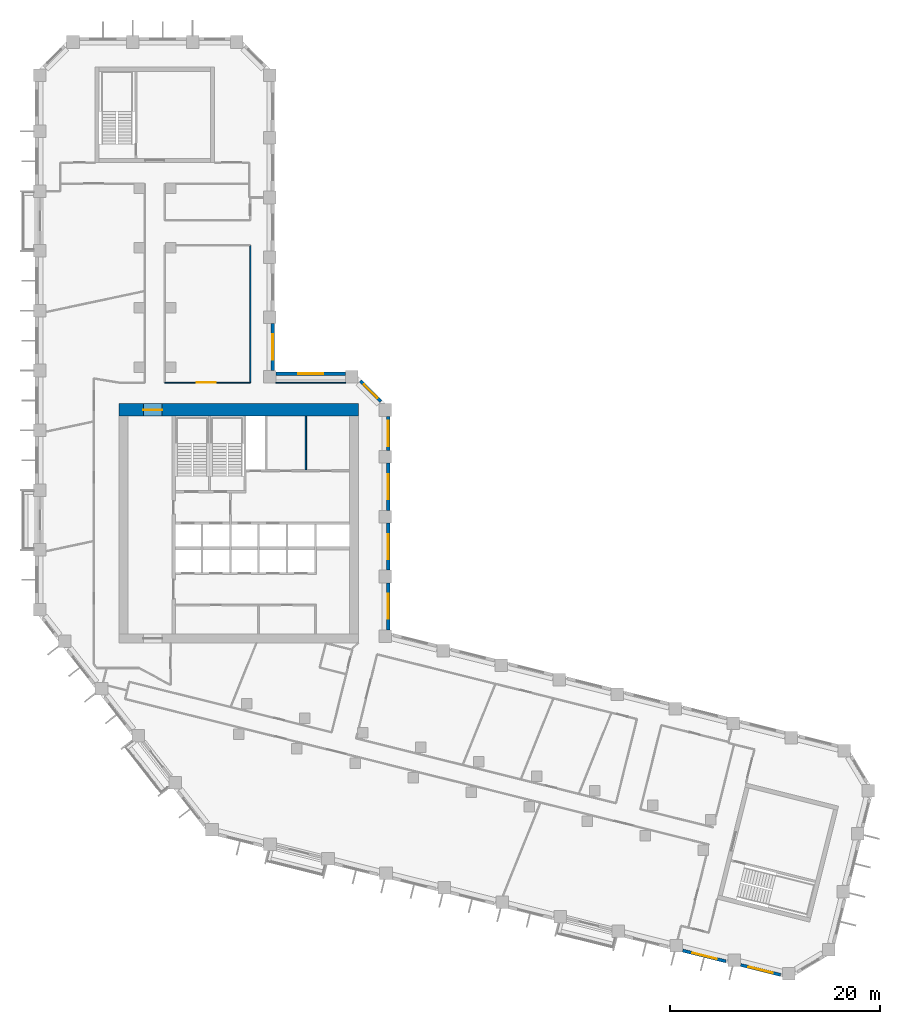
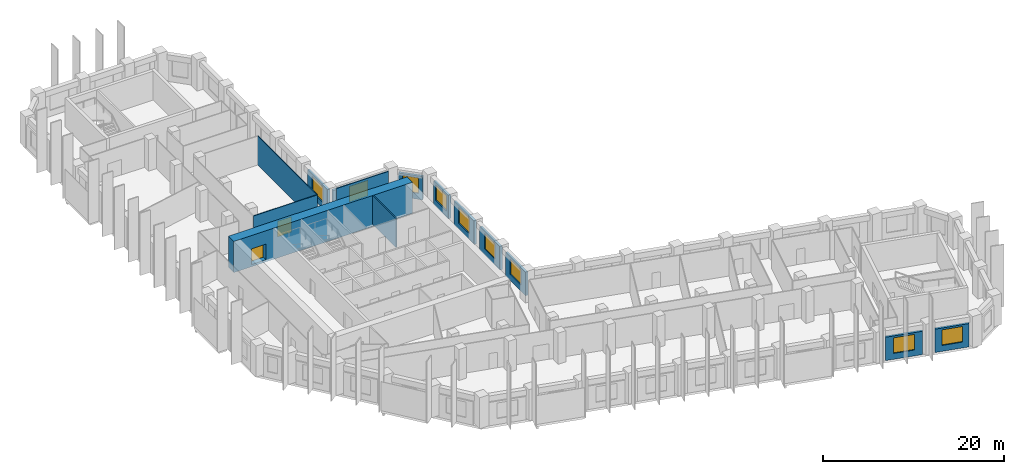
# One storey, part 6 of 10: 14 walls, 9 windows, 2 doors, 11 openings.
"""IFC4 building model written with IfcOpenShell, lengths in metres."""

from ifc_helpers import new_model, si_unit, direction, frame, frame_2d, origin, place, context, subcontext, project, spatial, rectangle, extrude, material, layer, layer_set, type_object, element, fill, save


model = new_model("IFC4")

# Units and contexts
model_context = context("Model", 3, precision=1e-05, world=origin(), true_north=direction((0.0, 1.0)))
body_context = subcontext(model_context, "Body", "Model", "MODEL_VIEW")
ifc_project = project(units=[si_unit("LENGTHUNIT", "METRE"), si_unit("AREAUNIT", "SQUARE_METRE"), si_unit("VOLUMEUNIT", "CUBIC_METRE"), si_unit("PLANEANGLEUNIT", "RADIAN"), si_unit("MASSUNIT", "GRAM", prefix="KILO")], contexts=[model_context])

# Site, building, storey
site_placement = place(None, origin())
site = spatial("IfcSite", under=ifc_project, at=site_placement, CompositionType="ELEMENT")
building_placement = place(site_placement, origin())
building = spatial("IfcBuilding", under=site, at=building_placement, Name="Meshkara Civic Tower", CompositionType="ELEMENT")
storey_placement = place(building_placement, frame((0.0, 0.0, 211.800048828125)))
storey = spatial("IfcBuildingStorey", under=building, at=storey_placement, Name="L48", CompositionType="ELEMENT", Elevation=211.800048828125)

# Wall
ifc_material_1 = material(Name="Blockwork", Category="masonry")
ifc_layer_1 = layer(ifc_material_1, 0.14990234375)
ifc_layer_set_1 = layer_set([ifc_layer_1], Name="Core partition 150")
wall_type_1 = type_object("IfcWallType", Name="Core partition 150", PredefinedType="PARTITIONING", material=ifc_layer_set_1)
wall_1_placement = place(storey_placement, frame((25.800048828125, 30.574951171875, 0.0), z_axis=(0.0, 0.0, 1.0), x_axis=(0.0, 1.0, 0.0)))
element("IfcWall", 1, at=wall_1_placement, inside=storey, type_object=wall_type_1, Name="L48-C020", PredefinedType="PARTITIONING", context=body_context, shape_type="SweptSolid", body=[
    extrude(rectangle(XDim=5.125, YDim=0.14990234375, at=frame_2d((2.5625, 0.0))), origin(), (0.0, 0.0, 1.0), 3.89990234375),
])

# Wall, opening, door
ifc_material_2 = material(Name="Concrete C70", Category="concrete")
ifc_layer_2 = layer(ifc_material_2, 1.199951171875)
ifc_layer_set_2 = layer_set([ifc_layer_2], Name="Core ring wall 1200 C70")
wall_type_2 = type_object("IfcWallType", Name="Core ring wall 1200 C70", PredefinedType="SHEAR", material=ifc_layer_set_2)
wall_2_placement = place(storey_placement, frame((8.0, 36.300048828125, -0.300048828125), z_axis=(0.0, 0.0, 1.0), x_axis=(1.0, 0.0, 0.0)))
wall_2 = element("IfcWall", 2, at=wall_2_placement, inside=storey, type_object=wall_type_2, Name="L48-C002", PredefinedType="SHEAR", context=body_context, shape_type="SweptSolid", body=[
    extrude(rectangle(XDim=22.800048828125, YDim=1.199951171875, at=frame_2d((11.39990234375, 0.0))), origin(), (0.0, 0.0, 1.0), 4.199951171875),
])
opening_1_placement = place(wall_2_placement, frame((2.300048828125, 0.0, 0.300048828125)))
opening_1 = element("IfcOpeningElement", 3, at=opening_1_placement, cuts=wall_2, Name="Opening L48-K020", PredefinedType="OPENING", context=body_context, shape_type="SweptSolid", body=[
    extrude(rectangle(XDim=1.800048828125, YDim=2.10009765625, at=frame_2d((0.89990234375, 1.050048828125))), frame((0.0, 0.60986328125, 0.0), z_axis=(0.0, -1.0, 0.0), x_axis=(1.0, 0.0, 0.0)), (0.0, 0.0, 1.0), 1.219970703125),
])
ifc_material_3 = material(Name="Fire-rated door leaf in steel frame", Category="steel")
door_type_1 = type_object("IfcDoorType", Name="Core double door 1800 EI 60", OperationType="DOUBLE_DOOR_SINGLE_SWING", PredefinedType="DOOR", material=ifc_material_3)
door_1_placement = place(opening_1_placement, origin())
door_1 = element("IfcDoor", 4, at=door_1_placement, inside=storey, type_object=door_type_1, Name="L48-K020", OperationType="DOUBLE_DOOR_SINGLE_SWING", OverallHeight=2.10009765625, OverallWidth=1.800048828125, PredefinedType="DOOR", context=body_context, shape_type="SweptSolid", body=[
    extrude(rectangle(XDim=1.800048828125, YDim=2.10009765625, at=frame_2d((0.89990234375, 1.050048828125))), frame((0.0, 0.02490234375, 0.0), z_axis=(0.0, -1.0, 0.0), x_axis=(1.0, 0.0, 0.0)), (0.0, 0.0, 1.0), 0.050048828125),
])
fill(opening_1, door_1)

ifc_material_4 = material(Name="Corridor wall 100")
ifc_layer_3 = layer(ifc_material_4, 0.10009765625)
ifc_layer_set_3 = layer_set([ifc_layer_3], Name="Corridor wall 100")
wall_type_3 = type_object("IfcWallType", Name="Corridor wall 100", PredefinedType="PARTITIONING", material=ifc_layer_set_3)
wall_3_placement = place(storey_placement, frame((20.5, 38.89990234375, 0.0), z_axis=(0.0, 0.0, 1.0), x_axis=(-1.0, 0.0, 0.0)))
wall_3 = element("IfcWall", 5, at=wall_3_placement, inside=storey, type_object=wall_type_3, Name="L48-W021", PredefinedType="PARTITIONING", context=body_context, shape_type="SweptSolid", body=[
    extrude(rectangle(XDim=8.14990234375, YDim=0.10009765625, at=frame_2d((4.074951171875, 0.0))), origin(), (0.0, 0.0, 1.0), 3.89990234375),
])
opening_2_placement = place(wall_3_placement, frame((3.280029296875, 0.0, 0.0)))
opening_2 = element("IfcOpeningElement", 6, at=opening_2_placement, cuts=wall_3, Name="Opening L48-D018", PredefinedType="OPENING", context=body_context, shape_type="SweptSolid", body=[
    extrude(rectangle(XDim=1.800048828125, YDim=2.10009765625, at=frame_2d((0.89990234375, 1.050048828125))), frame((0.0, 0.06005859375, 0.0), z_axis=(0.0, -1.0, 0.0), x_axis=(1.0, 0.0, 0.0)), (0.0, 0.0, 1.0), 0.1201171875),
])
ifc_material_5 = material(Name="Door pair 1800 x 2100")
door_type_2 = type_object("IfcDoorType", Name="Door pair 1800 x 2100", OperationType="SINGLE_SWING_LEFT", PredefinedType="DOOR", material=ifc_material_5)
door_2_placement = place(opening_2_placement, origin())
door_2 = element("IfcDoor", 7, at=door_2_placement, inside=storey, type_object=door_type_2, Name="L48-D018", OperationType="DOUBLE_DOOR_SINGLE_SWING", OverallHeight=2.10009765625, OverallWidth=1.800048828125, PredefinedType="DOOR", context=body_context, shape_type="SweptSolid", body=[
    extrude(rectangle(XDim=1.800048828125, YDim=2.10009765625, at=frame_2d((0.89990234375, 1.050048828125))), frame((0.0, 0.02490234375, 0.0), z_axis=(0.0, -1.0, 0.0), x_axis=(1.0, 0.0, 0.0)), (0.0, 0.0, 1.0), 0.050048828125),
])
fill(opening_2, door_2)

# Walls
wall_4_placement = place(storey_placement, frame((20.5, 52.0, 0.0), z_axis=(0.0, 0.0, 1.0), x_axis=(0.0, -1.0, 0.0)))
element("IfcWall", 8, at=wall_4_placement, inside=storey, type_object=wall_type_3, Name="L48-W022", PredefinedType="PARTITIONING", context=body_context, shape_type="SweptSolid", body=[
    extrude(rectangle(XDim=13.10009765625, YDim=0.10009765625, at=frame_2d((6.550048828125, 0.0))), origin(), (0.0, 0.0, 1.0), 3.89990234375),
])
wall_5_placement = place(storey_placement, frame((29.593994140625, 38.89990234375, 0.0), z_axis=(0.0, 0.0, 1.0), x_axis=(-1.0, 0.0, 0.0)))
element("IfcWall", 9, at=wall_5_placement, inside=storey, type_object=wall_type_3, Name="L48-W027", PredefinedType="PARTITIONING", context=body_context, shape_type="SweptSolid", body=[
    extrude(rectangle(XDim=6.64404296875, YDim=0.10009765625, at=frame_2d((3.322021484375, 0.0))), origin(), (0.0, 0.0, 1.0), 3.89990234375),
])

# Wall, opening, window
ifc_material_6 = material(Name="Insulated infill panel with bronze anodised aluminium cladding", Category="aluminium")
ifc_layer_4 = layer(ifc_material_6, 0.300048828125)
ifc_layer_set_4 = layer_set([ifc_layer_4], Name="EXTERNAL INFILL WALL 300")
wall_type_4 = type_object("IfcWallType", Name="EXTERNAL INFILL WALL 300", PredefinedType="SOLIDWALL", material=ifc_layer_set_4)
wall_6_placement = place(storey_placement, frame((33.64990234375, 15.319091796875, 0.0), z_axis=(0.0, 0.0, 1.0), x_axis=(0.0, 1.0, 0.0)))
wall_6 = element("IfcWall", 10, at=wall_6_placement, inside=storey, type_object=wall_type_4, Name="External wall", PredefinedType="SOLIDWALL", context=body_context, shape_type="SweptSolid", body=[
    extrude(rectangle(XDim=4.5, YDim=0.300048828125, at=frame_2d((2.25, 0.0))), origin(), (0.0, 0.0, 1.0), 3.14990234375),
])
opening_3_placement = place(wall_6_placement, frame((1.050048828125, 0.0, 0.800048828125)))
opening_3 = element("IfcOpeningElement", 11, at=opening_3_placement, cuts=wall_6, Name="Opening W7", PredefinedType="OPENING", context=body_context, shape_type="SweptSolid", body=[
    extrude(rectangle(XDim=2.39990234375, YDim=2.10009765625, at=frame_2d((1.199951171875, 1.050048828125))), frame((0.0, 0.159912109375, 0.0), z_axis=(0.0, -1.0, 0.0), x_axis=(1.0, 0.0, 0.0)), (0.0, 0.0, 1.0), 0.320068359375),
])
ifc_material_7 = material(Name="Tinted double glazing", Category="glass")
window_type_1 = type_object("IfcWindowType", Name="WINDOW 2400x2100", PartitioningType="DOUBLE_PANEL_VERTICAL", PredefinedType="WINDOW", material=ifc_material_7)
window_1_placement = place(opening_3_placement, origin())
window_1 = element("IfcWindow", 12, at=window_1_placement, inside=storey, type_object=window_type_1, Name="Window", OverallHeight=2.10009765625, OverallWidth=2.39990234375, PartitioningType="DOUBLE_PANEL_VERTICAL", PredefinedType="WINDOW", context=body_context, shape_type="SweptSolid", body=[
    extrude(rectangle(XDim=2.39990234375, YDim=2.10009765625, at=frame_2d((1.199951171875, 1.050048828125))), frame((0.0, 0.030029296875, 0.0), z_axis=(0.0, -1.0, 0.0), x_axis=(1.0, 0.0, 0.0)), (0.0, 0.0, 1.0), 0.06005859375),
])
fill(opening_3, window_1)

wall_7_placement = place(storey_placement, frame((33.64990234375, 21.01904296875, 0.0), z_axis=(0.0, 0.0, 1.0), x_axis=(0.0, 1.0, 0.0)))
wall_7 = element("IfcWall", 13, at=wall_7_placement, inside=storey, type_object=wall_type_4, Name="External wall", PredefinedType="SOLIDWALL", context=body_context, shape_type="SweptSolid", body=[
    extrude(rectangle(XDim=4.5, YDim=0.300048828125, at=frame_2d((2.25, 0.0))), origin(), (0.0, 0.0, 1.0), 3.14990234375),
])
opening_4_placement = place(wall_7_placement, frame((1.050048828125, 0.0, 0.800048828125)))
opening_4 = element("IfcOpeningElement", 14, at=opening_4_placement, cuts=wall_7, Name="Opening W7", PredefinedType="OPENING", context=body_context, shape_type="SweptSolid", body=[
    extrude(rectangle(XDim=2.39990234375, YDim=2.10009765625, at=frame_2d((1.199951171875, 1.050048828125))), frame((0.0, 0.159912109375, 0.0), z_axis=(0.0, -1.0, 0.0), x_axis=(1.0, 0.0, 0.0)), (0.0, 0.0, 1.0), 0.320068359375),
])
window_2_placement = place(opening_4_placement, origin())
window_2 = element("IfcWindow", 15, at=window_2_placement, inside=storey, type_object=window_type_1, Name="Window", OverallHeight=2.10009765625, OverallWidth=2.39990234375, PartitioningType="DOUBLE_PANEL_VERTICAL", PredefinedType="WINDOW", context=body_context, shape_type="SweptSolid", body=[
    extrude(rectangle(XDim=2.39990234375, YDim=2.10009765625, at=frame_2d((1.199951171875, 1.050048828125))), frame((0.0, 0.030029296875, 0.0), z_axis=(0.0, -1.0, 0.0), x_axis=(1.0, 0.0, 0.0)), (0.0, 0.0, 1.0), 0.06005859375),
])
fill(opening_4, window_2)

wall_8_placement = place(storey_placement, frame((33.64990234375, 26.718994140625, 0.0), z_axis=(0.0, 0.0, 1.0), x_axis=(0.0, 1.0, 0.0)))
wall_8 = element("IfcWall", 16, at=wall_8_placement, inside=storey, type_object=wall_type_4, Name="External wall", PredefinedType="SOLIDWALL", context=body_context, shape_type="SweptSolid", body=[
    extrude(rectangle(XDim=4.5, YDim=0.300048828125, at=frame_2d((2.25, 0.0))), origin(), (0.0, 0.0, 1.0), 3.14990234375),
])
opening_5_placement = place(wall_8_placement, frame((1.050048828125, 0.0, 0.800048828125)))
opening_5 = element("IfcOpeningElement", 17, at=opening_5_placement, cuts=wall_8, Name="Opening W7", PredefinedType="OPENING", context=body_context, shape_type="SweptSolid", body=[
    extrude(rectangle(XDim=2.39990234375, YDim=2.10009765625, at=frame_2d((1.199951171875, 1.050048828125))), frame((0.0, 0.159912109375, 0.0), z_axis=(0.0, -1.0, 0.0), x_axis=(1.0, 0.0, 0.0)), (0.0, 0.0, 1.0), 0.320068359375),
])
window_3_placement = place(opening_5_placement, origin())
window_3 = element("IfcWindow", 18, at=window_3_placement, inside=storey, type_object=window_type_1, Name="Window", OverallHeight=2.10009765625, OverallWidth=2.39990234375, PartitioningType="DOUBLE_PANEL_VERTICAL", PredefinedType="WINDOW", context=body_context, shape_type="SweptSolid", body=[
    extrude(rectangle(XDim=2.39990234375, YDim=2.10009765625, at=frame_2d((1.199951171875, 1.050048828125))), frame((0.0, 0.030029296875, 0.0), z_axis=(0.0, -1.0, 0.0), x_axis=(1.0, 0.0, 0.0)), (0.0, 0.0, 1.0), 0.06005859375),
])
fill(opening_5, window_3)

wall_9_placement = place(storey_placement, frame((33.64990234375, 32.4189453125, 0.0), z_axis=(0.0, 0.0, 1.0), x_axis=(0.0, 1.0, 0.0)))
wall_9 = element("IfcWall", 19, at=wall_9_placement, inside=storey, type_object=wall_type_4, Name="External wall", PredefinedType="SOLIDWALL", context=body_context, shape_type="SweptSolid", body=[
    extrude(rectangle(XDim=3.275146484375, YDim=0.300048828125, at=frame_2d((1.6376953125, 0.0))), origin(), (0.0, 0.0, 1.0), 3.14990234375),
])
opening_6_placement = place(wall_9_placement, frame((0.43798828125, 0.0, 0.800048828125)))
opening_6 = element("IfcOpeningElement", 20, at=opening_6_placement, cuts=wall_9, Name="Opening W7", PredefinedType="OPENING", context=body_context, shape_type="SweptSolid", body=[
    extrude(rectangle(XDim=2.39990234375, YDim=2.10009765625, at=frame_2d((1.199951171875, 1.050048828125))), frame((0.0, 0.159912109375, 0.0), z_axis=(0.0, -1.0, 0.0), x_axis=(1.0, 0.0, 0.0)), (0.0, 0.0, 1.0), 0.320068359375),
])
window_4_placement = place(opening_6_placement, origin())
window_4 = element("IfcWindow", 21, at=window_4_placement, inside=storey, type_object=window_type_1, Name="Window", OverallHeight=2.10009765625, OverallWidth=2.39990234375, PartitioningType="DOUBLE_PANEL_VERTICAL", PredefinedType="WINDOW", context=body_context, shape_type="SweptSolid", body=[
    extrude(rectangle(XDim=2.39990234375, YDim=2.10009765625, at=frame_2d((1.199951171875, 1.050048828125))), frame((0.0, 0.030029296875, 0.0), z_axis=(0.0, -1.0, 0.0), x_axis=(1.0, 0.0, 0.0)), (0.0, 0.0, 1.0), 0.06005859375),
])
fill(opening_6, window_4)

wall_10_placement = place(storey_placement, frame((32.9619140625, 37.10595703125, 0.0), z_axis=(0.0, 0.0, 1.0), x_axis=(-0.707062649074, 0.707150910545, 0.0)))
wall_10 = element("IfcWall", 22, at=wall_10_placement, inside=storey, type_object=wall_type_4, Name="External wall", PredefinedType="SOLIDWALL", context=body_context, shape_type="SweptSolid", body=[
    extrude(rectangle(XDim=2.76611328125, YDim=0.300048828125, at=frame_2d((1.383056640625, 0.0))), origin(), (0.0, 0.0, 1.0), 3.14990234375),
])
opening_7_placement = place(wall_10_placement, frame((0.48291015625, 0.0, 0.800048828125)))
opening_7 = element("IfcOpeningElement", 23, at=opening_7_placement, cuts=wall_10, Name="Opening W9", PredefinedType="OPENING", context=body_context, shape_type="SweptSolid", body=[
    extrude(rectangle(XDim=1.800048828125, YDim=2.10009765625, at=frame_2d((0.89990234375, 1.050048828125))), frame((0.0, 0.159912109375, 0.0), z_axis=(0.0, -1.0, 0.0), x_axis=(1.0, 0.0, 0.0)), (0.0, 0.0, 1.0), 0.320068359375),
])
ifc_material_8 = material(Name="Tinted double glazing", Category="glass")
window_type_2 = type_object("IfcWindowType", Name="WINDOW 1800x2100", PartitioningType="DOUBLE_PANEL_VERTICAL", PredefinedType="WINDOW", material=ifc_material_8)
window_5_placement = place(opening_7_placement, origin())
window_5 = element("IfcWindow", 24, at=window_5_placement, inside=storey, type_object=window_type_2, Name="Window", OverallHeight=2.10009765625, OverallWidth=1.800048828125, PartitioningType="DOUBLE_PANEL_VERTICAL", PredefinedType="WINDOW", context=body_context, shape_type="SweptSolid", body=[
    extrude(rectangle(XDim=1.800048828125, YDim=2.10009765625, at=frame_2d((0.89990234375, 1.050048828125))), frame((0.0, 0.030029296875, 0.0), z_axis=(0.0, -1.0, 0.0), x_axis=(1.0, 0.0, 0.0)), (0.0, 0.0, 1.0), 0.06005859375),
])
fill(opening_7, window_5)

wall_11_placement = place(storey_placement, frame((29.593994140625, 39.75, 0.0), z_axis=(0.0, 0.0, 1.0), x_axis=(-1.0, 0.0, 0.0)))
wall_11 = element("IfcWall", 25, at=wall_11_placement, inside=storey, type_object=wall_type_4, Name="External wall", PredefinedType="SOLIDWALL", context=body_context, shape_type="SweptSolid", body=[
    extrude(rectangle(XDim=6.64404296875, YDim=0.300048828125, at=frame_2d((3.322021484375, 0.0))), origin(), (0.0, 0.0, 1.0), 3.14990234375),
])
opening_8_placement = place(wall_11_placement, frame((2.1220703125, 0.0, 0.800048828125)))
opening_8 = element("IfcOpeningElement", 26, at=opening_8_placement, cuts=wall_11, Name="Opening W7", PredefinedType="OPENING", context=body_context, shape_type="SweptSolid", body=[
    extrude(rectangle(XDim=2.39990234375, YDim=2.10009765625, at=frame_2d((1.199951171875, 1.050048828125))), frame((0.0, 0.159912109375, 0.0), z_axis=(0.0, -1.0, 0.0), x_axis=(1.0, 0.0, 0.0)), (0.0, 0.0, 1.0), 0.320068359375),
])
window_6_placement = place(opening_8_placement, origin())
window_6 = element("IfcWindow", 27, at=window_6_placement, inside=storey, type_object=window_type_1, Name="Window", OverallHeight=2.10009765625, OverallWidth=2.39990234375, PartitioningType="DOUBLE_PANEL_VERTICAL", PredefinedType="WINDOW", context=body_context, shape_type="SweptSolid", body=[
    extrude(rectangle(XDim=2.39990234375, YDim=2.10009765625, at=frame_2d((1.199951171875, 1.050048828125))), frame((0.0, 0.030029296875, 0.0), z_axis=(0.0, -1.0, 0.0), x_axis=(1.0, 0.0, 0.0)), (0.0, 0.0, 1.0), 0.06005859375),
])
fill(opening_8, window_6)

wall_12_placement = place(storey_placement, frame((22.64990234375, 40.050048828125, 0.0), z_axis=(0.0, 0.0, 1.0), x_axis=(0.0, 1.0, 0.0)))
wall_12 = element("IfcWall", 28, at=wall_12_placement, inside=storey, type_object=wall_type_4, Name="External wall", PredefinedType="SOLIDWALL", context=body_context, shape_type="SweptSolid", body=[
    extrude(rectangle(XDim=4.5, YDim=0.300048828125, at=frame_2d((2.25, 0.0))), origin(), (0.0, 0.0, 1.0), 3.14990234375),
])
opening_9_placement = place(wall_12_placement, frame((1.050048828125, 0.0, 0.800048828125)))
opening_9 = element("IfcOpeningElement", 29, at=opening_9_placement, cuts=wall_12, Name="Opening W7", PredefinedType="OPENING", context=body_context, shape_type="SweptSolid", body=[
    extrude(rectangle(XDim=2.39990234375, YDim=2.10009765625, at=frame_2d((1.199951171875, 1.050048828125))), frame((0.0, 0.159912109375, 0.0), z_axis=(0.0, -1.0, 0.0), x_axis=(1.0, 0.0, 0.0)), (0.0, 0.0, 1.0), 0.320068359375),
])
window_7_placement = place(opening_9_placement, origin())
window_7 = element("IfcWindow", 30, at=window_7_placement, inside=storey, type_object=window_type_1, Name="Window", OverallHeight=2.10009765625, OverallWidth=2.39990234375, PartitioningType="DOUBLE_PANEL_VERTICAL", PredefinedType="WINDOW", context=body_context, shape_type="SweptSolid", body=[
    extrude(rectangle(XDim=2.39990234375, YDim=2.10009765625, at=frame_2d((1.199951171875, 1.050048828125))), frame((0.0, 0.030029296875, 0.0), z_axis=(0.0, -1.0, 0.0), x_axis=(1.0, 0.0, 0.0)), (0.0, 0.0, 1.0), 0.06005859375),
])
fill(opening_9, window_7)

wall_13_placement = place(storey_placement, frame((61.72998046875, -15.236083984375, 0.0), z_axis=(0.0, 0.0, 1.0), x_axis=(0.970304663212, -0.241886048688, 0.0)))
wall_13 = element("IfcWall", 31, at=wall_13_placement, inside=storey, type_object=wall_type_4, Name="External wall", PredefinedType="SOLIDWALL", context=body_context, shape_type="SweptSolid", body=[
    extrude(rectangle(XDim=4.2451171875, YDim=0.300048828125, at=frame_2d((2.12255859375, 0.0))), origin(), (0.0, 0.0, 1.0), 3.14990234375),
])
opening_10_placement = place(wall_13_placement, frame((0.922119140625, 0.0, 0.800048828125)))
opening_10 = element("IfcOpeningElement", 32, at=opening_10_placement, cuts=wall_13, Name="Opening W7", PredefinedType="OPENING", context=body_context, shape_type="SweptSolid", body=[
    extrude(rectangle(XDim=2.39990234375, YDim=2.10009765625, at=frame_2d((1.199951171875, 1.050048828125))), frame((0.0, 0.159912109375, 0.0), z_axis=(0.0, -1.0, 0.0), x_axis=(1.0, 0.0, 0.0)), (0.0, 0.0, 1.0), 0.320068359375),
])
window_8_placement = place(opening_10_placement, origin())
window_8 = element("IfcWindow", 33, at=window_8_placement, inside=storey, type_object=window_type_1, Name="Window", OverallHeight=2.10009765625, OverallWidth=2.39990234375, PartitioningType="DOUBLE_PANEL_VERTICAL", PredefinedType="WINDOW", context=body_context, shape_type="SweptSolid", body=[
    extrude(rectangle(XDim=2.39990234375, YDim=2.10009765625, at=frame_2d((1.199951171875, 1.050048828125))), frame((0.0, 0.030029296875, 0.0), z_axis=(0.0, -1.0, 0.0), x_axis=(1.0, 0.0, 0.0)), (0.0, 0.0, 1.0), 0.06005859375),
])
fill(opening_10, window_8)

wall_14_placement = place(storey_placement, frame((67.260009765625, -16.614990234375, 0.0), z_axis=(0.0, 0.0, 1.0), x_axis=(0.97033344074, -0.241770580885, 0.0)))
wall_14 = element("IfcWall", 34, at=wall_14_placement, inside=storey, type_object=wall_type_4, Name="External wall", PredefinedType="SOLIDWALL", context=body_context, shape_type="SweptSolid", body=[
    extrude(rectangle(XDim=3.905029296875, YDim=0.300048828125, at=frame_2d((1.95263671875, 0.0))), origin(), (0.0, 0.0, 1.0), 3.14990234375),
])
opening_11_placement = place(wall_14_placement, frame((0.751953125, 0.0, 0.800048828125)))
opening_11 = element("IfcOpeningElement", 35, at=opening_11_placement, cuts=wall_14, Name="Opening W7", PredefinedType="OPENING", context=body_context, shape_type="SweptSolid", body=[
    extrude(rectangle(XDim=2.39990234375, YDim=2.10009765625, at=frame_2d((1.199951171875, 1.050048828125))), frame((0.0, 0.159912109375, 0.0), z_axis=(0.0, -1.0, 0.0), x_axis=(1.0, 0.0, 0.0)), (0.0, 0.0, 1.0), 0.320068359375),
])
window_9_placement = place(opening_11_placement, origin())
window_9 = element("IfcWindow", 36, at=window_9_placement, inside=storey, type_object=window_type_1, Name="Window", OverallHeight=2.10009765625, OverallWidth=2.39990234375, PartitioningType="DOUBLE_PANEL_VERTICAL", PredefinedType="WINDOW", context=body_context, shape_type="SweptSolid", body=[
    extrude(rectangle(XDim=2.39990234375, YDim=2.10009765625, at=frame_2d((1.199951171875, 1.050048828125))), frame((0.0, 0.030029296875, 0.0), z_axis=(0.0, -1.0, 0.0), x_axis=(1.0, 0.0, 0.0)), (0.0, 0.0, 1.0), 0.06005859375),
])
fill(opening_11, window_9)

save(model, "model.ifc")
